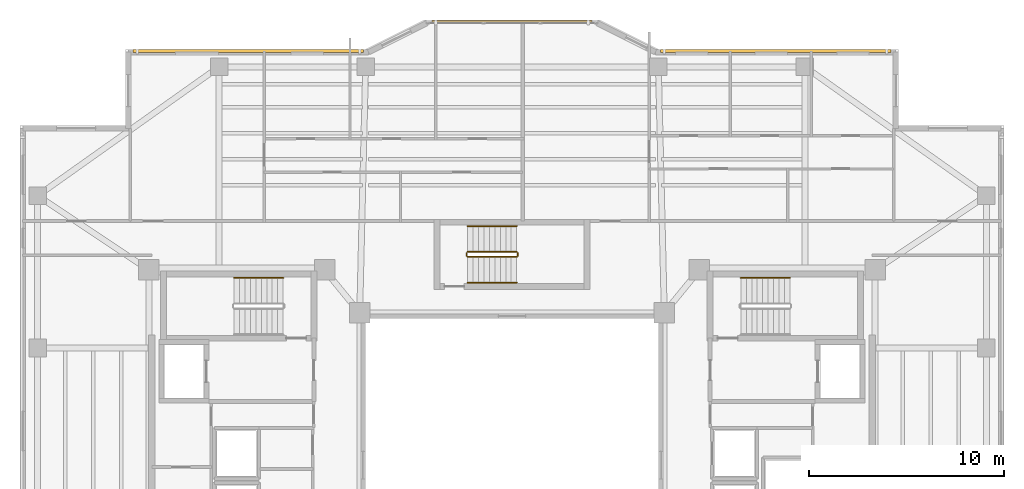
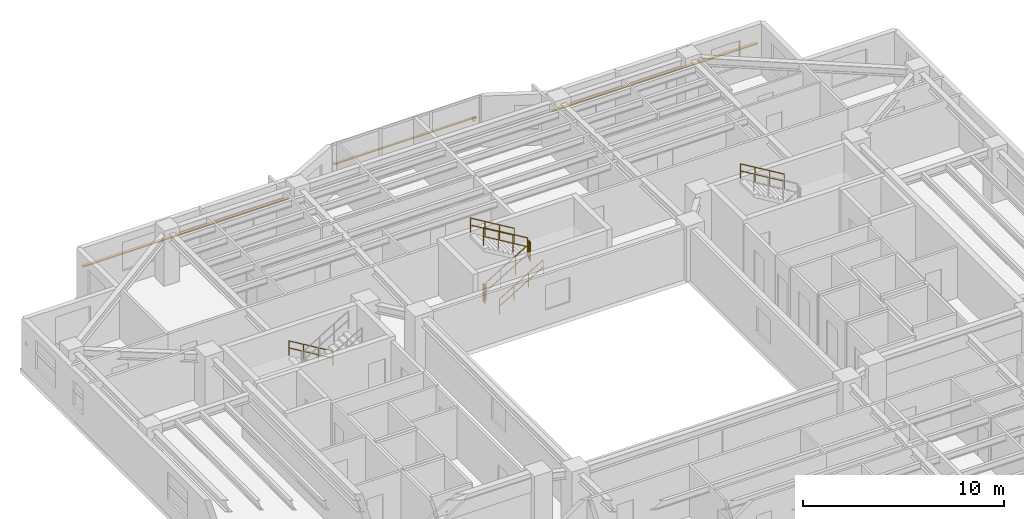
# One storey, part 16 of 16: 8 railings, 3 shading devices.
"""IFC4 building model written with IfcOpenShell, lengths in metres."""

from ifc_helpers import new_model, si_unit, direction, frame, origin, origin_2d, place, context, subcontext, project, spatial, rectangle, circle, extrude, material, material_profile, profile_set, type_object, element, save


model = new_model("IFC4")

# Units and contexts
model_context = context("Model", 3, precision=1e-05, world=origin(), true_north=direction((0.0, 1.0)))
body_context = subcontext(model_context, "Body", "Model", "MODEL_VIEW")
ifc_project = project(units=[si_unit("LENGTHUNIT", "METRE"), si_unit("AREAUNIT", "SQUARE_METRE"), si_unit("VOLUMEUNIT", "CUBIC_METRE"), si_unit("PLANEANGLEUNIT", "RADIAN"), si_unit("MASSUNIT", "GRAM", prefix="KILO")], contexts=[model_context])

# Site, building, storey
site_placement = place(None, origin())
site = spatial("IfcSite", under=ifc_project, at=site_placement, CompositionType="ELEMENT")
building_placement = place(site_placement, origin())
building = spatial("IfcBuilding", under=site, at=building_placement, Name="Tarnavaz Court Tower", CompositionType="ELEMENT")
storey_placement = place(building_placement, frame((0.0, 0.0, 149.35009765625)))
storey = spatial("IfcBuildingStorey", under=building, at=storey_placement, Name="L40", CompositionType="ELEMENT", Elevation=149.35009765625)

# Railings
ifc_material_1 = material(Name="Brushed Stainless Steel", Category="steel")
railing_type_1 = type_object("IfcRailingType", Name="RL-HANDRAIL-900", PredefinedType="HANDRAIL", material=ifc_material_1)
railing_1_placement = place(storey_placement, frame((-11.719970703125, 9.590087890625, 0.16748046875)))
element("IfcRailing", 1, at=railing_1_placement, inside=storey, type_object=railing_type_1, Name="L40 ST-W1 stair handrail 1", PredefinedType="HANDRAIL", context=body_context, shape_type="SweptSolid", body=[
    extrude(circle(Radius=0.02392578125, at=origin_2d()), frame((0.0, 0.0, 0.8759765625), z_axis=(-0.858196387827, 0.0, 0.513321497621), x_axis=(0.0, -1.0, 0.0)), (0.0, 0.0, 1.0), 2.9365234375),
    extrude(circle(Radius=0.02392578125, at=origin_2d()), frame((0.0, 0.0, 0.449951171875), z_axis=(-0.858196387827, 0.0, 0.513321497621), x_axis=(0.0, -1.0, 0.0)), (0.0, 0.0, 1.0), 2.9365234375),
    extrude(circle(Radius=0.02099609375, at=origin_2d()), origin(), (0.0, 0.0, 1.0), 0.851806640625),
    extrude(circle(Radius=0.02099609375, at=origin_2d()), frame((-0.840087890625, 0.0, 0.50244140625)), (0.0, 0.0, 1.0), 0.851806640625),
    extrude(circle(Radius=0.02099609375, at=origin_2d()), frame((-1.679931640625, 0.0, 1.0048828125)), (0.0, 0.0, 1.0), 0.851806640625),
    extrude(circle(Radius=0.02099609375, at=origin_2d()), frame((-2.52001953125, 0.0, 1.50732421875)), (0.0, 0.0, 1.0), 0.851806640625),
])
railing_2_placement = place(storey_placement, frame((14.239990234375, 9.590087890625, 1.84228515625)))
element("IfcRailing", 2, at=railing_2_placement, inside=storey, type_object=railing_type_1, Name="L40 ST-E1 stair handrail 2", PredefinedType="HANDRAIL", context=body_context, shape_type="SweptSolid", body=[
    extrude(circle(Radius=0.02392578125, at=origin_2d()), frame((0.0, 0.0, 0.8759765625), z_axis=(-0.858159760407, 0.0, 0.513382728203), x_axis=(0.0, -1.0, 0.0)), (0.0, 0.0, 1.0), 2.9365234375),
    extrude(circle(Radius=0.02392578125, at=origin_2d()), frame((0.0, 0.0, 0.449951171875), z_axis=(-0.858159760407, 0.0, 0.513382728203), x_axis=(0.0, -1.0, 0.0)), (0.0, 0.0, 1.0), 2.9365234375),
    extrude(circle(Radius=0.02099609375, at=origin_2d()), origin(), (0.0, 0.0, 1.0), 0.851806640625),
    extrude(circle(Radius=0.02099609375, at=origin_2d()), frame((-0.840087890625, 0.0, 0.50244140625)), (0.0, 0.0, 1.0), 0.851806640625),
    extrude(circle(Radius=0.02099609375, at=origin_2d()), frame((-1.679931640625, 0.0, 1.005126953125)), (0.0, 0.0, 1.0), 0.851806640625),
    extrude(circle(Radius=0.02099609375, at=origin_2d()), frame((-2.52001953125, 0.0, 1.507568359375)), (0.0, 0.0, 1.0), 0.851806640625),
])
railing_3_placement = place(storey_placement, frame((-2.280029296875, 9.35009765625, 0.16748046875)))
element("IfcRailing", 3, at=railing_3_placement, inside=storey, type_object=railing_type_1, Name="L40 ST-N1 stair handrail 1", PredefinedType="HANDRAIL", context=body_context, shape_type="SweptSolid", body=[
    extrude(circle(Radius=0.02392578125, at=origin_2d()), frame((0.0, 0.0, 0.8759765625), z_axis=(0.858196387827, 0.0, 0.513321497621), x_axis=(0.0, 1.0, 0.0)), (0.0, 0.0, 1.0), 2.9365234375),
    extrude(circle(Radius=0.02392578125, at=origin_2d()), frame((0.0, 0.0, 0.449951171875), z_axis=(0.858196387827, 0.0, 0.513321497621), x_axis=(0.0, 1.0, 0.0)), (0.0, 0.0, 1.0), 2.9365234375),
    extrude(circle(Radius=0.02099609375, at=origin_2d()), origin(), (0.0, 0.0, 1.0), 0.851806640625),
    extrude(circle(Radius=0.02099609375, at=origin_2d()), frame((0.840087890625, 0.0, 0.50244140625)), (0.0, 0.0, 1.0), 0.851806640625),
    extrude(circle(Radius=0.02099609375, at=origin_2d()), frame((1.679931640625, 0.0, 1.0048828125)), (0.0, 0.0, 1.0), 0.851806640625),
    extrude(circle(Radius=0.02099609375, at=origin_2d()), frame((2.52001953125, 0.0, 1.50732421875)), (0.0, 0.0, 1.0), 0.851806640625),
])
railing_4_placement = place(storey_placement, frame((0.239990234375, 12.239990234375, 1.84228515625)))
element("IfcRailing", 4, at=railing_4_placement, inside=storey, type_object=railing_type_1, Name="L40 ST-N1 stair handrail 2", PredefinedType="HANDRAIL", context=body_context, shape_type="SweptSolid", body=[
    extrude(circle(Radius=0.02392578125, at=origin_2d()), frame((0.0, 0.0, 0.8759765625), z_axis=(-0.858159760407, 0.0, 0.513382728203), x_axis=(0.0, -1.0, 0.0)), (0.0, 0.0, 1.0), 2.9365234375),
    extrude(circle(Radius=0.02392578125, at=origin_2d()), frame((0.0, 0.0, 0.449951171875), z_axis=(-0.858159760407, 0.0, 0.513382728203), x_axis=(0.0, -1.0, 0.0)), (0.0, 0.0, 1.0), 2.9365234375),
    extrude(circle(Radius=0.02099609375, at=origin_2d()), origin(), (0.0, 0.0, 1.0), 0.851806640625),
    extrude(circle(Radius=0.02099609375, at=origin_2d()), frame((-0.840087890625, 0.0, 0.50244140625)), (0.0, 0.0, 1.0), 0.851806640625),
    extrude(circle(Radius=0.02099609375, at=origin_2d()), frame((-1.679931640625, 0.0, 1.005126953125)), (0.0, 0.0, 1.0), 0.851806640625),
    extrude(circle(Radius=0.02099609375, at=origin_2d()), frame((-2.52001953125, 0.0, 1.507568359375)), (0.0, 0.0, 1.0), 0.851806640625),
])
ifc_material_2 = material(Name="Galvanized Painted Tubular Steel", Category="steel")
railing_type_2 = type_object("IfcRailingType", Name="RL-STGUARD-1120", PredefinedType="GUARDRAIL", material=ifc_material_2)
railing_5_placement = place(storey_placement, frame((-2.280029296875, 10.669921875, 0.16748046875)))
element("IfcRailing", 5, at=railing_5_placement, inside=storey, type_object=railing_type_2, Name="L40 ST-N1 stair guard 1", PredefinedType="GUARDRAIL", context=body_context, shape_type="SweptSolid", body=[
    extrude(circle(Radius=0.02392578125, at=origin_2d()), frame((0.0, 0.0, 1.09619140625), z_axis=(0.858196387827, 0.0, 0.513321497621), x_axis=(0.0, 1.0, 0.0)), (0.0, 0.0, 1.0), 2.9365234375),
    extrude(circle(Radius=0.02392578125, at=origin_2d()), frame((0.0, 0.0, 0.56005859375), z_axis=(0.858196387827, 0.0, 0.513321497621), x_axis=(0.0, 1.0, 0.0)), (0.0, 0.0, 1.0), 2.9365234375),
    extrude(circle(Radius=0.02099609375, at=origin_2d()), origin(), (0.0, 0.0, 1.0), 1.072021484375),
    extrude(circle(Radius=0.02099609375, at=origin_2d()), frame((0.840087890625, 0.0, 0.50244140625)), (0.0, 0.0, 1.0), 1.072021484375),
    extrude(circle(Radius=0.02099609375, at=origin_2d()), frame((1.679931640625, 0.0, 1.0048828125)), (0.0, 0.0, 1.0), 1.072021484375),
    extrude(circle(Radius=0.02099609375, at=origin_2d()), frame((2.52001953125, 0.0, 1.50732421875)), (0.0, 0.0, 1.0), 1.072021484375),
])
railing_6_placement = place(storey_placement, frame((0.2900390625, 10.719970703125, 1.6748046875)))
element("IfcRailing", 6, at=railing_6_placement, inside=storey, type_object=railing_type_2, Name="L40 ST-N1 stair guard 2", PredefinedType="GUARDRAIL", context=body_context, shape_type="SweptSolid", body=[
    extrude(circle(Radius=0.02392578125, at=origin_2d()), frame((0.0, 0.0, 1.09619140625), z_axis=(0.0, 1.0, 0.0), x_axis=(-1.0, 0.0, 0.0)), (0.0, 0.0, 1.0), 0.150146484375),
    extrude(circle(Radius=0.02392578125, at=origin_2d()), frame((0.0, 0.0, 0.56005859375), z_axis=(0.0, 1.0, 0.0), x_axis=(-1.0, 0.0, 0.0)), (0.0, 0.0, 1.0), 0.150146484375),
    extrude(circle(Radius=0.02099609375, at=origin_2d()), origin(), (0.0, 0.0, 1.0), 1.072021484375),
    extrude(circle(Radius=0.02099609375, at=origin_2d()), frame((0.0, 0.150146484375, 0.0)), (0.0, 0.0, 1.0), 1.072021484375),
])
railing_7_placement = place(storey_placement, frame((0.239990234375, 10.919921875, 1.84228515625)))
element("IfcRailing", 7, at=railing_7_placement, inside=storey, type_object=railing_type_2, Name="L40 ST-N1 stair guard 3", PredefinedType="GUARDRAIL", context=body_context, shape_type="SweptSolid", body=[
    extrude(circle(Radius=0.02392578125, at=origin_2d()), frame((0.0, 0.0, 1.09619140625), z_axis=(-0.858159760407, 0.0, 0.513382728203), x_axis=(0.0, -1.0, 0.0)), (0.0, 0.0, 1.0), 2.9365234375),
    extrude(circle(Radius=0.02392578125, at=origin_2d()), frame((0.0, 0.0, 0.56005859375), z_axis=(-0.858159760407, 0.0, 0.513382728203), x_axis=(0.0, -1.0, 0.0)), (0.0, 0.0, 1.0), 2.9365234375),
    extrude(circle(Radius=0.02099609375, at=origin_2d()), origin(), (0.0, 0.0, 1.0), 1.072021484375),
    extrude(circle(Radius=0.02099609375, at=origin_2d()), frame((-0.840087890625, 0.0, 0.50244140625)), (0.0, 0.0, 1.0), 1.072021484375),
    extrude(circle(Radius=0.02099609375, at=origin_2d()), frame((-1.679931640625, 0.0, 1.005126953125)), (0.0, 0.0, 1.0), 1.072021484375),
    extrude(circle(Radius=0.02099609375, at=origin_2d()), frame((-2.52001953125, 0.0, 1.507568359375)), (0.0, 0.0, 1.0), 1.072021484375),
])
railing_8_placement = place(storey_placement, frame((-2.330078125, 10.719970703125, 0.0)))
element("IfcRailing", 8, at=railing_8_placement, inside=storey, type_object=railing_type_2, Name="L40 ST-N1 stair guard 4", PredefinedType="GUARDRAIL", context=body_context, shape_type="SweptSolid", body=[
    extrude(circle(Radius=0.02392578125, at=origin_2d()), frame((0.0, 0.0, 1.09619140625), z_axis=(0.0, 1.0, 0.0), x_axis=(-1.0, 0.0, 0.0)), (0.0, 0.0, 1.0), 0.150146484375),
    extrude(circle(Radius=0.02392578125, at=origin_2d()), frame((0.0, 0.0, 0.56005859375), z_axis=(0.0, 1.0, 0.0), x_axis=(-1.0, 0.0, 0.0)), (0.0, 0.0, 1.0), 0.150146484375),
    extrude(circle(Radius=0.02099609375, at=origin_2d()), origin(), (0.0, 0.0, 1.0), 1.072021484375),
    extrude(circle(Radius=0.02099609375, at=origin_2d()), frame((0.0, 0.150146484375, 0.0)), (0.0, 0.0, 1.0), 1.072021484375),
])

# Shading devices
ifc_material_3 = material(Name="Kiln-Fired Khorasan Terracotta Ceramic", Category="masonry")
ifc_material_profile_1 = material_profile(ifc_material_3, rectangle(XDim=0.1201171875, YDim=0.06005859375, at=origin_2d()), Name="TC BAGUETTE 120X60")
ifc_profile_set_1 = profile_set([ifc_material_profile_1], Name="Kiln-Fired Khorasan Terracotta Ceramic")
shading_device_type_1 = type_object("IfcShadingDeviceType", Name="SD-BAG-120", PredefinedType="USERDEFINED", material=ifc_profile_set_1)
shading_device_placement = place(storey_placement, frame((-4.10009765625, 22.7099609375, 1.7998046875), z_axis=(1.0, 0.0, 0.0), x_axis=(0.0, 1.0, 0.0)))
element("IfcShadingDevice", 9, at=shading_device_placement, inside=storey, type_object=shading_device_type_1, Name="L40 Terracotta Baguette Screen PBG7", ObjectType="BAGUETTE", PredefinedType="USERDEFINED", context=body_context, shape_type="SweptSolid", body=[
    extrude(rectangle(XDim=0.1201171875, YDim=0.06005859375, at=origin_2d()), origin(), (0.0, 0.0, 1.0), 8.2001953125),
])
ifc_material_profile_2 = material_profile(ifc_material_3, rectangle(XDim=0.14990234375, YDim=0.06494140625, at=origin_2d()), Name="TC BAGUETTE 150X65")
ifc_profile_set_2 = profile_set([ifc_material_profile_2], Name="Kiln-Fired Khorasan Terracotta Ceramic")
shading_device_type_2 = type_object("IfcShadingDeviceType", Name="SD-BAG-150", PredefinedType="USERDEFINED", material=ifc_profile_set_2)
for number, where, z_axis, x_axis, name in (
    (10, (-19.39990234375, 21.2099609375, 1.849853515625), (1.0, 0.0, 0.0), (0.0, 1.0, 0.0), "L40 Terracotta Baguette Screen FBG05"),
    (11, (7.60009765625, 21.2099609375, 1.849853515625), (1.0, 0.0, 0.0), (0.0, 1.0, 0.0), "L40 Terracotta Baguette Screen FBG09"),
):
    element("IfcShadingDevice", number, at=place(storey_placement, frame(where, z_axis=z_axis, x_axis=x_axis)), inside=storey, type_object=shading_device_type_2, Name=name, ObjectType="BAGUETTE", PredefinedType="USERDEFINED", context=body_context, shape_type="SweptSolid", body=[
        extrude(rectangle(XDim=0.14990234375, YDim=0.06494140625, at=origin_2d()), origin(), (0.0, 0.0, 1.0), 11.7998046875),
    ])

save(model, "model.ifc")
